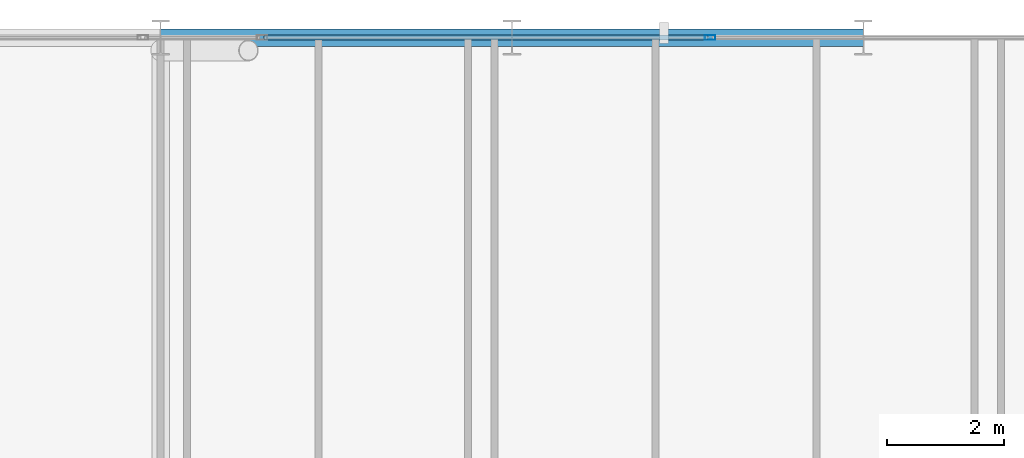
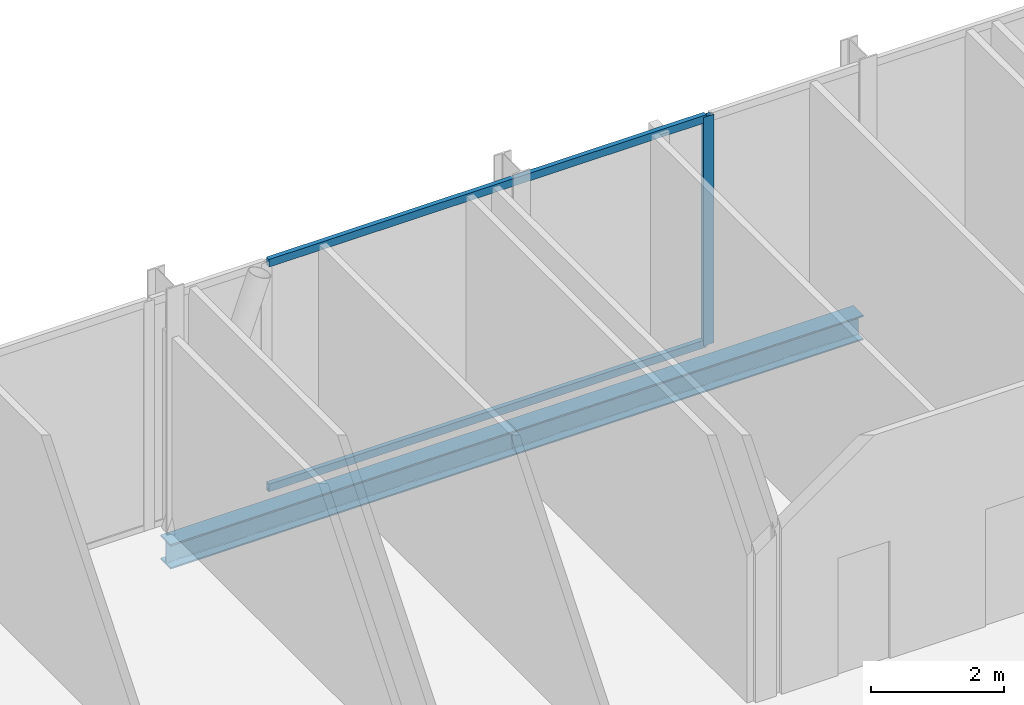
# One storey, part 17 of 30: 3 members, 2 beams, 1 element without a shape of its own.
"""IFC4 building model written with IfcOpenShell, lengths in metres."""

from ifc_helpers import new_model, si_unit, direction, frame, origin, origin_2d, place, context, subcontext, project, spatial, hollow_rectangle, i_section, extrude, material, layer, layer_set, material_profile, profile_set, type_object, element, aggregate, save


model = new_model("IFC4")

# Units and contexts
model_context = context("Model", 3, precision=1e-05, world=origin(), true_north=direction((0.0, 1.0)))
body_context = subcontext(model_context, "Body", "Model", "MODEL_VIEW")
ifc_project = project(units=[si_unit("LENGTHUNIT", "METRE"), si_unit("AREAUNIT", "SQUARE_METRE"), si_unit("VOLUMEUNIT", "CUBIC_METRE"), si_unit("PLANEANGLEUNIT", "RADIAN"), si_unit("MASSUNIT", "GRAM", prefix="KILO")], contexts=[model_context])

# Site, building, storey
site_placement = place(None, origin())
site = spatial("IfcSite", under=ifc_project, at=site_placement, CompositionType="ELEMENT")
building_placement = place(site_placement, origin())
building = spatial("IfcBuilding", under=site, at=building_placement, Name="Keshet Zoharim Tower", CompositionType="ELEMENT")
storey_placement = place(building_placement, frame((0.0, 0.0, 86.39990234375)))
storey = spatial("IfcBuildingStorey", under=building, at=storey_placement, Name="L20", CompositionType="ELEMENT", Elevation=86.39990234375)

# Beams
ifc_material_1 = material(Name="Steel S355", Category="steel")
ifc_material_profile_1 = material_profile(ifc_material_1, i_section(OverallWidth=0.300048828125, OverallDepth=0.449951171875, WebThickness=0.013916015625, FlangeThickness=0.02587890625, FilletRadius=0.027099609375, at=origin_2d()), Name="HEB450")
ifc_profile_set_1 = profile_set([ifc_material_profile_1], Name="Steel S355")
beam_type = type_object("IfcBeamType", Name="BM-WEB-HB450", PredefinedType="BEAM", material=ifc_profile_set_1)
for number, where, z_axis, x_axis, name in (
    (1, (33.0, 53.89990234375, -0.539794921875), (1.0, 0.0, 0.0), (0.0, 1.0, 0.0), "L20 Primary Girder X-021"),
    (2, (39.0, 53.89990234375, -0.539794921875), (1.0, 0.0, 0.0), (0.0, 1.0, 0.0), "L20 Primary Girder X-022"),
):
    element("IfcBeam", number, at=place(storey_placement, frame(where, z_axis=z_axis, x_axis=x_axis)), inside=storey, type_object=beam_type, Name=name, PredefinedType="BEAM", context=body_context, shape_type="SweptSolid", body=[
        extrude(i_section(OverallWidth=0.300048828125, OverallDepth=0.449951171875, WebThickness=0.013916015625, FlangeThickness=0.02587890625, FilletRadius=0.027099609375, at=origin_2d()), origin(), (0.0, 0.0, 1.0), 6.0),
    ])

# Curtain wall, members
ifc_material_2 = material(Name="Aluminium 6063-T6", Category="aluminium")
ifc_layer = layer(ifc_material_2, 0.159912109375)
ifc_layer_set = layer_set([ifc_layer], Name="Aluminium 6063-T6")
curtain_wall_type = type_object("IfcCurtainWallType", Name="CW-SYS-03", PredefinedType="NOTDEFINED", material=ifc_layer_set)
curtain_wall_placement = place(storey_placement, origin())
curtain_wall = element("IfcCurtainWall", 3, at=curtain_wall_placement, inside=storey, type_object=curtain_wall_type, Name="L20 Unitised Curtain Wall 13 Part 5", PredefinedType="NOTDEFINED")
ifc_material_profile_2 = material_profile(ifc_material_2, hollow_rectangle(XDim=0.080078125, YDim=0.179931640625, WallThickness=0.00439453125, at=origin_2d()), Name="MUL-80x180")
ifc_profile_set_2 = profile_set([ifc_material_profile_2], Name="Aluminium 6063-T6")
member_type_1 = type_object("IfcMemberType", Name="CWM-M18", PredefinedType="MULLION", material=ifc_profile_set_2)
member_1_placement = place(storey_placement, frame((42.3837890625, 53.89990234375, 0.0), z_axis=(0.0, 0.0, 1.0), x_axis=(0.0, 1.0, 0.0)))
member_1 = element("IfcMember", 4, at=member_1_placement, type_object=member_type_1, Name="CW-03 mullion 2", PredefinedType="MULLION", context=body_context, shape_type="SweptSolid", body=[
    extrude(hollow_rectangle(XDim=0.080078125, YDim=0.179931640625, WallThickness=0.00439453125, at=origin_2d()), origin(), (0.0, 0.0, 1.0), 4.18505859375),
])
ifc_material_profile_3 = material_profile(ifc_material_2, hollow_rectangle(XDim=0.080078125, YDim=0.139892578125, WallThickness=0.00390625, at=origin_2d()), Name="TRN-80x140")
ifc_profile_set_3 = profile_set([ifc_material_profile_3], Name="Aluminium 6063-T6")
member_type_2 = type_object("IfcMemberType", Name="CWT-T14", PredefinedType="USERDEFINED", material=ifc_profile_set_3)
member_2_placement = place(storey_placement, frame((34.767333984375, 53.89990234375, 0.03515625), z_axis=(1.0, 0.0, 0.0), x_axis=(0.0, 1.0, 0.0)))
member_2 = element("IfcMember", 5, at=member_2_placement, type_object=member_type_2, Name="CW-03 transom 1.1", ObjectType="TRANSOM", PredefinedType="USERDEFINED", context=body_context, shape_type="SweptSolid", body=[
    extrude(hollow_rectangle(XDim=0.080078125, YDim=0.139892578125, WallThickness=0.00390625, at=origin_2d()), origin(), (0.0, 0.0, 1.0), 7.581298828125),
])
member_3_placement = place(storey_placement, frame((34.767333984375, 53.89990234375, 4.150146484375), z_axis=(1.0, 0.0, 0.0), x_axis=(0.0, 1.0, 0.0)))
member_3 = element("IfcMember", 6, at=member_3_placement, type_object=member_type_2, Name="CW-03 transom 1.2", ObjectType="TRANSOM", PredefinedType="USERDEFINED", context=body_context, shape_type="SweptSolid", body=[
    extrude(hollow_rectangle(XDim=0.080078125, YDim=0.139892578125, WallThickness=0.00390625, at=origin_2d()), origin(), (0.0, 0.0, 1.0), 7.581298828125),
])
aggregate(curtain_wall, [member_1, member_2, member_3])

save(model, "model.ifc")
